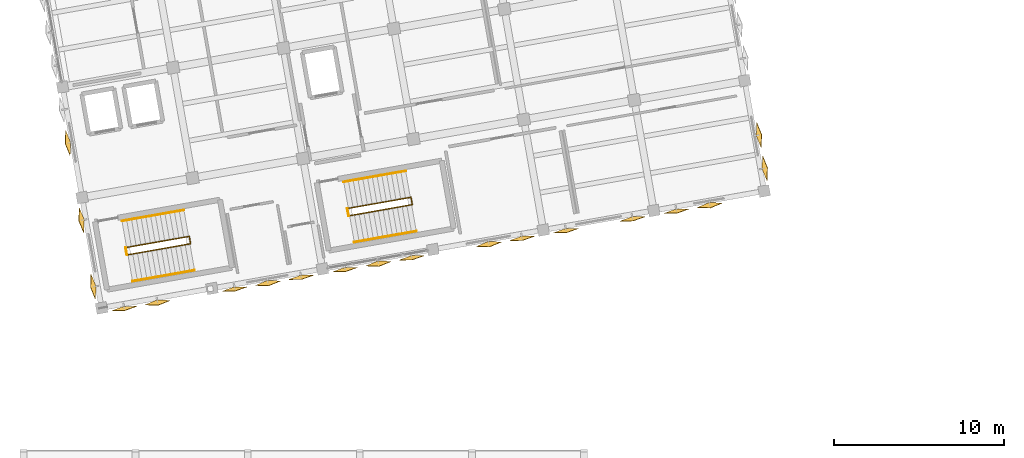
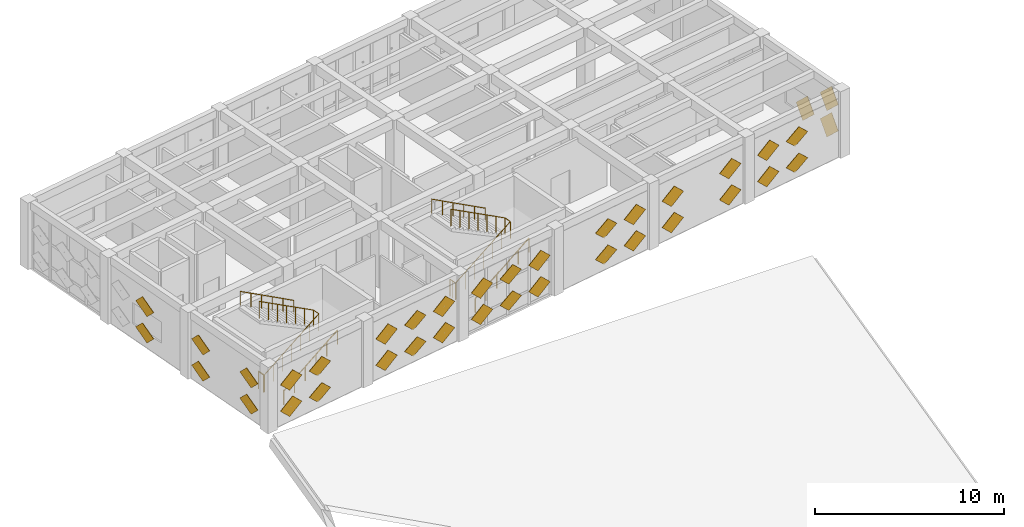
# One storey, part 36 of 39: 37 coverings, 8 railings.
"""IFC4 building model written with IfcOpenShell, lengths in metres."""

from ifc_helpers import new_model, si_unit, direction, frame, origin, origin_2d, place, context, subcontext, project, spatial, polyline, circle, outline, extrude, material, type_object, element, save


model = new_model("IFC4")

# Units and contexts
model_context = context("Model", 3, precision=1e-05, world=origin(), true_north=direction((0.0, 1.0)))
body_context = subcontext(model_context, "Body", "Model", "MODEL_VIEW")
ifc_project = project(units=[si_unit("LENGTHUNIT", "METRE"), si_unit("AREAUNIT", "SQUARE_METRE"), si_unit("VOLUMEUNIT", "CUBIC_METRE"), si_unit("PLANEANGLEUNIT", "RADIAN"), si_unit("MASSUNIT", "GRAM", prefix="KILO")], contexts=[model_context])

# Site, building, storey
site_placement = place(None, origin())
site = spatial("IfcSite", under=ifc_project, at=site_placement, CompositionType="ELEMENT")
building_placement = place(site_placement, origin())
building = spatial("IfcBuilding", under=site, at=building_placement, Name="Kharisveld Research Institute", CompositionType="ELEMENT")
storey_placement = place(building_placement, frame((0.0, 0.0, 23.10009765625)))
storey = spatial("IfcBuildingStorey", under=building, at=storey_placement, Name="L05", CompositionType="ELEMENT", Elevation=23.10009765625)

# Railings
ifc_material_1 = material(Name="Steel S355JR", Category="steel")
railing_type_1 = type_object("IfcRailingType", Name="RL_GRD_STR", PredefinedType="GUARDRAIL", material=ifc_material_1)
railing_1_placement = place(storey_placement, frame((6.75048828125, 38.13671875, 0.0)))
element("IfcRailing", 1, at=railing_1_placement, inside=storey, type_object=railing_type_1, Name="RLG:ST1:L05:GRD_SLOT", PredefinedType="GUARDRAIL", context=body_context, shape_type="SweptSolid", body=[
    extrude(circle(Radius=0.02392578125, at=origin_2d()), frame((0.0, 0.0, 1.09619140625), z_axis=(0.84417332575, 0.148863291176, 0.514986520826), x_axis=(-0.173662611611, 0.984805207809, 0.0)), (0.0, 0.0, 1.0), 4.369140625),
    extrude(circle(Radius=0.02392578125, at=origin_2d()), frame((3.688232421875, 0.650390625, 3.34619140625), z_axis=(-0.173658729201, 0.984805892434, 0.0), x_axis=(-0.984805892434, -0.173658729201, 0.0)), (0.0, 0.0, 1.0), 0.43994140625),
    extrude(circle(Radius=0.02392578125, at=origin_2d()), frame((3.61181640625, 1.083740234375, 3.34619140625), z_axis=(-0.844157266411, -0.148870313632, 0.515010814726), x_axis=(0.173673761132, -0.984803241614, 0.0)), (0.0, 0.0, 1.0), 4.368896484375),
    extrude(circle(Radius=0.02099609375, at=origin_2d()), origin(), (0.0, 0.0, 1.0), 1.072021484375),
    extrude(circle(Radius=0.02099609375, at=origin_2d()), frame((0.61474609375, 0.1083984375, 0.375)), (0.0, 0.0, 1.0), 1.072021484375),
    extrude(circle(Radius=0.02099609375, at=origin_2d()), frame((1.2294921875, 0.216796875, 0.75)), (0.0, 0.0, 1.0), 1.072021484375),
    extrude(circle(Radius=0.02099609375, at=origin_2d()), frame((1.84423828125, 0.3251953125, 1.125)), (0.0, 0.0, 1.0), 1.072021484375),
    extrude(circle(Radius=0.02099609375, at=origin_2d()), frame((2.458740234375, 0.43359375, 1.5)), (0.0, 0.0, 1.0), 1.072021484375),
    extrude(circle(Radius=0.02099609375, at=origin_2d()), frame((3.073486328125, 0.5419921875, 1.875)), (0.0, 0.0, 1.0), 1.072021484375),
    extrude(circle(Radius=0.02099609375, at=origin_2d()), frame((3.688232421875, 0.650390625, 2.25)), (0.0, 0.0, 1.0), 1.072021484375),
    extrude(circle(Radius=0.02099609375, at=origin_2d()), frame((3.61181640625, 1.083740234375, 2.25)), (0.0, 0.0, 1.0), 1.072021484375),
    extrude(circle(Radius=0.02099609375, at=origin_2d()), frame((2.9970703125, 0.975341796875, 2.625)), (0.0, 0.0, 1.0), 1.072021484375),
    extrude(circle(Radius=0.02099609375, at=origin_2d()), frame((2.382568359375, 0.866943359375, 3.0)), (0.0, 0.0, 1.0), 1.072021484375),
    extrude(circle(Radius=0.02099609375, at=origin_2d()), frame((1.767822265625, 0.758544921875, 3.375)), (0.0, 0.0, 1.0), 1.072021484375),
    extrude(circle(Radius=0.02099609375, at=origin_2d()), frame((1.153076171875, 0.650146484375, 3.75)), (0.0, 0.0, 1.0), 1.072021484375),
    extrude(circle(Radius=0.02099609375, at=origin_2d()), frame((0.53857421875, 0.541748046875, 4.125)), (0.0, 0.0, 1.0), 1.072021484375),
    extrude(circle(Radius=0.02099609375, at=origin_2d()), frame((-0.076171875, 0.433349609375, 4.5)), (0.0, 0.0, 1.0), 1.072021484375),
])
railing_2_placement = place(storey_placement, frame((6.69140625, 38.12646484375, 0.0)))
element("IfcRailing", 2, at=railing_2_placement, inside=storey, type_object=railing_type_1, Name="RLG:ST1:L05:GRD_FLRSLOT", PredefinedType="GUARDRAIL", context=body_context, shape_type="SweptSolid", body=[
    extrude(circle(Radius=0.02392578125, at=origin_2d()), frame((0.0, 0.0, 1.09619140625), z_axis=(-0.173753665698, 0.984789146801, 0.0), x_axis=(-0.984789146801, -0.173753665698, 0.0)), (0.0, 0.0, 1.0), 0.439697265625),
    extrude(circle(Radius=0.02099609375, at=origin_2d()), origin(), (0.0, 0.0, 1.0), 1.072021484375),
    extrude(circle(Radius=0.02099609375, at=origin_2d()), frame((-0.076416015625, 0.43310546875, 0.0)), (0.0, 0.0, 1.0), 1.072021484375),
])
railing_3_placement = place(storey_placement, frame((19.79931640625, 40.4375, 0.0)))
element("IfcRailing", 3, at=railing_3_placement, inside=storey, type_object=railing_type_1, Name="RLG:ST2:L05:GRD_SLOT", PredefinedType="GUARDRAIL", context=body_context, shape_type="SweptSolid", body=[
    extrude(circle(Radius=0.02392578125, at=origin_2d()), frame((0.0, 0.0, 1.09619140625), z_axis=(0.844157266411, 0.148870313632, 0.515010814726), x_axis=(-0.173673761132, 0.984803241614, 0.0)), (0.0, 0.0, 1.0), 4.368896484375),
    extrude(circle(Radius=0.02392578125, at=origin_2d()), frame((3.68798828125, 0.650390625, 3.34619140625), z_axis=(-0.173658729201, 0.984805892434, 0.0), x_axis=(-0.984805892434, -0.173658729201, 0.0)), (0.0, 0.0, 1.0), 0.43994140625),
    extrude(circle(Radius=0.02392578125, at=origin_2d()), frame((3.611572265625, 1.083740234375, 3.34619140625), z_axis=(-0.844157266411, -0.148870313632, 0.515010814726), x_axis=(0.173673761132, -0.984803241614, 0.0)), (0.0, 0.0, 1.0), 4.368896484375),
    extrude(circle(Radius=0.02099609375, at=origin_2d()), origin(), (0.0, 0.0, 1.0), 1.072021484375),
    extrude(circle(Radius=0.02099609375, at=origin_2d()), frame((0.61474609375, 0.1083984375, 0.375)), (0.0, 0.0, 1.0), 1.072021484375),
    extrude(circle(Radius=0.02099609375, at=origin_2d()), frame((1.229248046875, 0.216796875, 0.75)), (0.0, 0.0, 1.0), 1.072021484375),
    extrude(circle(Radius=0.02099609375, at=origin_2d()), frame((1.843994140625, 0.3251953125, 1.125)), (0.0, 0.0, 1.0), 1.072021484375),
    extrude(circle(Radius=0.02099609375, at=origin_2d()), frame((2.458740234375, 0.43359375, 1.5)), (0.0, 0.0, 1.0), 1.072021484375),
    extrude(circle(Radius=0.02099609375, at=origin_2d()), frame((3.0732421875, 0.5419921875, 1.875)), (0.0, 0.0, 1.0), 1.072021484375),
    extrude(circle(Radius=0.02099609375, at=origin_2d()), frame((3.68798828125, 0.650390625, 2.25)), (0.0, 0.0, 1.0), 1.072021484375),
    extrude(circle(Radius=0.02099609375, at=origin_2d()), frame((3.611572265625, 1.083740234375, 2.25)), (0.0, 0.0, 1.0), 1.072021484375),
    extrude(circle(Radius=0.02099609375, at=origin_2d()), frame((2.996826171875, 0.975341796875, 2.625)), (0.0, 0.0, 1.0), 1.072021484375),
    extrude(circle(Radius=0.02099609375, at=origin_2d()), frame((2.38232421875, 0.866943359375, 3.0)), (0.0, 0.0, 1.0), 1.072021484375),
    extrude(circle(Radius=0.02099609375, at=origin_2d()), frame((1.767578125, 0.758544921875, 3.375)), (0.0, 0.0, 1.0), 1.072021484375),
    extrude(circle(Radius=0.02099609375, at=origin_2d()), frame((1.15283203125, 0.650146484375, 3.75)), (0.0, 0.0, 1.0), 1.072021484375),
    extrude(circle(Radius=0.02099609375, at=origin_2d()), frame((0.538330078125, 0.541748046875, 4.125)), (0.0, 0.0, 1.0), 1.072021484375),
    extrude(circle(Radius=0.02099609375, at=origin_2d()), frame((-0.076416015625, 0.433349609375, 4.5)), (0.0, 0.0, 1.0), 1.072021484375),
])
railing_4_placement = place(storey_placement, frame((19.740234375, 40.42724609375, 0.0)))
element("IfcRailing", 4, at=railing_4_placement, inside=storey, type_object=railing_type_1, Name="RLG:ST2:L05:GRD_FLRSLOT", PredefinedType="GUARDRAIL", context=body_context, shape_type="SweptSolid", body=[
    extrude(circle(Radius=0.02392578125, at=origin_2d()), frame((0.0, 0.0, 1.09619140625), z_axis=(-0.173658729201, 0.984805892434, 0.0), x_axis=(-0.984805892434, -0.173658729201, 0.0)), (0.0, 0.0, 1.0), 0.43994140625),
    extrude(circle(Radius=0.02099609375, at=origin_2d()), origin(), (0.0, 0.0, 1.0), 1.072021484375),
    extrude(circle(Radius=0.02099609375, at=origin_2d()), frame((-0.0380859375, 0.216796875, 0.0)), (0.0, 0.0, 1.0), 1.072021484375),
    extrude(circle(Radius=0.02099609375, at=origin_2d()), frame((-0.076416015625, 0.433349609375, 0.0)), (0.0, 0.0, 1.0), 1.072021484375),
])
ifc_material_2 = material(Name="Stainless Steel 316", Category="steel")
railing_type_2 = type_object("IfcRailingType", Name="RL_HND_STR", PredefinedType="HANDRAIL", material=ifc_material_2)
railing_5_placement = place(storey_placement, frame((7.02490234375, 36.580810546875, 0.0)))
element("IfcRailing", 5, at=railing_5_placement, inside=storey, type_object=railing_type_2, Name="RLG:ST1:L05:HR1", PredefinedType="HANDRAIL", context=body_context, shape_type="SweptSolid", body=[
    extrude(circle(Radius=0.02392578125, at=origin_2d()), frame((0.0, 0.0, 0.89599609375), z_axis=(0.841746897377, 0.148411045473, 0.519072559801), x_axis=(-0.173634966033, 0.984810082488, 0.0)), (0.0, 0.0, 1.0), 4.334716796875),
    extrude(circle(Radius=0.02099609375, at=origin_2d()), origin(), (0.0, 0.0, 1.0), 0.871826171875),
    extrude(circle(Radius=0.02099609375, at=origin_2d()), frame((0.729736328125, 0.128662109375, 0.449951171875)), (0.0, 0.0, 1.0), 0.871826171875),
    extrude(circle(Radius=0.02099609375, at=origin_2d()), frame((1.45947265625, 0.25732421875, 0.89990234375)), (0.0, 0.0, 1.0), 0.871826171875),
    extrude(circle(Radius=0.02099609375, at=origin_2d()), frame((2.189208984375, 0.385986328125, 1.35009765625)), (0.0, 0.0, 1.0), 0.871826171875),
    extrude(circle(Radius=0.02099609375, at=origin_2d()), frame((2.9189453125, 0.5146484375, 1.800048828125)), (0.0, 0.0, 1.0), 0.871826171875),
    extrude(circle(Radius=0.02099609375, at=origin_2d()), frame((3.648681640625, 0.643310546875, 2.25)), (0.0, 0.0, 1.0), 0.871826171875),
])
railing_6_placement = place(storey_placement, frame((10.048583984375, 40.76953125, 2.25)))
element("IfcRailing", 6, at=railing_6_placement, inside=storey, type_object=railing_type_2, Name="RLG:ST1:L05:HR2", PredefinedType="HANDRAIL", context=body_context, shape_type="SweptSolid", body=[
    extrude(circle(Radius=0.02392578125, at=origin_2d()), frame((0.0, 0.0, 0.89599609375), z_axis=(-0.841739860008, -0.148466127198, 0.519068220129), x_axis=(0.173698873865, -0.984798812559, 0.0)), (0.0, 0.0, 1.0), 4.334716796875),
    extrude(circle(Radius=0.02099609375, at=origin_2d()), origin(), (0.0, 0.0, 1.0), 0.871826171875),
    extrude(circle(Radius=0.02099609375, at=origin_2d()), frame((-0.729736328125, -0.128662109375, 0.449951171875)), (0.0, 0.0, 1.0), 0.871826171875),
    extrude(circle(Radius=0.02099609375, at=origin_2d()), frame((-1.45947265625, -0.25732421875, 0.89990234375)), (0.0, 0.0, 1.0), 0.871826171875),
    extrude(circle(Radius=0.02099609375, at=origin_2d()), frame((-2.189208984375, -0.38623046875, 1.35009765625)), (0.0, 0.0, 1.0), 0.871826171875),
    extrude(circle(Radius=0.02099609375, at=origin_2d()), frame((-2.9189453125, -0.514892578125, 1.800048828125)), (0.0, 0.0, 1.0), 0.871826171875),
    extrude(circle(Radius=0.02099609375, at=origin_2d()), frame((-3.648681640625, -0.6435546875, 2.25)), (0.0, 0.0, 1.0), 0.871826171875),
])
railing_7_placement = place(storey_placement, frame((20.07373046875, 38.881591796875, 0.0)))
element("IfcRailing", 7, at=railing_7_placement, inside=storey, type_object=railing_type_2, Name="RLG:ST2:L05:HR1", PredefinedType="HANDRAIL", context=body_context, shape_type="SweptSolid", body=[
    extrude(circle(Radius=0.02392578125, at=origin_2d()), frame((0.0, 0.0, 0.89599609375), z_axis=(0.841746897377, 0.148411045473, 0.519072559801), x_axis=(-0.173634966033, 0.984810082488, 0.0)), (0.0, 0.0, 1.0), 4.334716796875),
    extrude(circle(Radius=0.02099609375, at=origin_2d()), origin(), (0.0, 0.0, 1.0), 0.871826171875),
    extrude(circle(Radius=0.02099609375, at=origin_2d()), frame((0.729736328125, 0.128662109375, 0.449951171875)), (0.0, 0.0, 1.0), 0.871826171875),
    extrude(circle(Radius=0.02099609375, at=origin_2d()), frame((1.45947265625, 0.25732421875, 0.89990234375)), (0.0, 0.0, 1.0), 0.871826171875),
    extrude(circle(Radius=0.02099609375, at=origin_2d()), frame((2.189208984375, 0.385986328125, 1.35009765625)), (0.0, 0.0, 1.0), 0.871826171875),
    extrude(circle(Radius=0.02099609375, at=origin_2d()), frame((2.9189453125, 0.5146484375, 1.800048828125)), (0.0, 0.0, 1.0), 0.871826171875),
    extrude(circle(Radius=0.02099609375, at=origin_2d()), frame((3.648681640625, 0.643310546875, 2.25)), (0.0, 0.0, 1.0), 0.871826171875),
])
railing_8_placement = place(storey_placement, frame((23.09716796875, 43.0703125, 2.25)))
element("IfcRailing", 8, at=railing_8_placement, inside=storey, type_object=railing_type_2, Name="RLG:ST2:L05:HR2", PredefinedType="HANDRAIL", context=body_context, shape_type="SweptSolid", body=[
    extrude(circle(Radius=0.02392578125, at=origin_2d()), frame((0.0, 0.0, 0.89599609375), z_axis=(-0.841746897377, -0.148411045473, 0.519072559801), x_axis=(0.173634966033, -0.984810082488, 0.0)), (0.0, 0.0, 1.0), 4.334716796875),
    extrude(circle(Radius=0.02099609375, at=origin_2d()), origin(), (0.0, 0.0, 1.0), 0.871826171875),
    extrude(circle(Radius=0.02099609375, at=origin_2d()), frame((-0.729736328125, -0.128662109375, 0.449951171875)), (0.0, 0.0, 1.0), 0.871826171875),
    extrude(circle(Radius=0.02099609375, at=origin_2d()), frame((-1.45947265625, -0.25732421875, 0.89990234375)), (0.0, 0.0, 1.0), 0.871826171875),
    extrude(circle(Radius=0.02099609375, at=origin_2d()), frame((-2.189208984375, -0.385986328125, 1.35009765625)), (0.0, 0.0, 1.0), 0.871826171875),
    extrude(circle(Radius=0.02099609375, at=origin_2d()), frame((-2.9189453125, -0.5146484375, 1.800048828125)), (0.0, 0.0, 1.0), 0.871826171875),
    extrude(circle(Radius=0.02099609375, at=origin_2d()), frame((-3.648681640625, -0.643310546875, 2.25)), (0.0, 0.0, 1.0), 0.871826171875),
])

# Coverings
ifc_material_3 = material(Name="White Powder-Coated Perforated Aluminium", Category="aluminium")
covering_type = type_object("IfcCoveringType", Name="CV_DIA_105", PredefinedType="CLADDING")
for number, where, z_axis, x_axis, name in (
    (9, (4.874267578125, 36.2861328125, 0.324951171875), (0.961447488939, 0.169497253476, 0.216539620108), (-0.273555095257, 0.669826337005, 0.690290002907), "SHD:V1:L05:W0:S0C0"),
    (10, (4.874267578125, 36.2861328125, 2.025146484375), (0.961447488939, 0.169497253476, 0.216539620108), (-0.273555095257, 0.669826337005, 0.690290002907), "SHD:V1:L05:W0:S0C1"),
):
    element("IfcCovering", number, at=place(storey_placement, frame(where, z_axis=z_axis, x_axis=x_axis)), inside=storey, type_object=covering_type, material=ifc_material_3, Name=name, PredefinedType="CLADDING", context=body_context, shape_type="SweptSolid", body=[
        extrude(outline(polyline([(0.0, 0.0), (1.0501013287743868, 0.0), (1.0498908116789152, 1.0501299715118642), (1.9800637014233402e-05, 1.0499603251677767), (0.0, 0.0)])), origin(), (0.0, 0.0, -1.0), 0.02392578125),
    ])
for number, where, z_axis, x_axis, name in (
    (11, (4.18408203125, 40.19921875, 0.324951171875), (0.961481187298, 0.169503194288, 0.216385289699), (-0.273452141042, 0.669728459805, 0.690425750307), "SHD:V1:L05:W0:S2C0"),
    (12, (4.18408203125, 40.19921875, 2.025146484375), (0.961481187298, 0.169503194288, 0.216385289699), (-0.273452141042, 0.669728459805, 0.690425750307), "SHD:V1:L05:W0:S2C1"),
    (13, (3.383056640625, 44.742431640625, 0.324951171875), (0.961481187298, 0.169503194288, 0.216385289699), (-0.273452141042, 0.669728459805, 0.690425750307), "SHD:V1:L05:W1:S1C0"),
    (14, (3.383056640625, 44.742431640625, 2.025146484375), (0.961481187298, 0.169503194288, 0.216385289699), (-0.273452141042, 0.669728459805, 0.690425750307), "SHD:V1:L05:W1:S1C1"),
):
    element("IfcCovering", number, at=place(storey_placement, frame(where, z_axis=z_axis, x_axis=x_axis)), inside=storey, type_object=covering_type, material=ifc_material_3, Name=name, PredefinedType="CLADDING", context=body_context, shape_type="SweptSolid", body=[
        extrude(outline(polyline([(0.0, 0.0), (1.0498710289953155, -1.1102230246251565e-16), (1.0499937165082887, 1.0499534818098035), (-4.082041178410378e-05, 1.0501299960653954), (0.0, 0.0)])), origin(), (0.0, 0.0, -1.0), 0.02392578125),
    ])
covering_1_placement = place(storey_placement, frame((43.72314453125, 45.153564453125, 0.324951171875), z_axis=(-0.961481187298, -0.169503194288, 0.216385289699), x_axis=(0.273447448775, -0.669849989418, 0.690309701826)))
element("IfcCovering", 15, at=covering_1_placement, inside=storey, type_object=covering_type, material=ifc_material_3, Name="SHD:V1:L05:E1:S1C0", PredefinedType="CLADDING", context=body_context, shape_type="SweptSolid", body=[
    extrude(outline(polyline([(0.0, 0.0), (1.0500345517563856, -1.1102230246251565e-16), (1.0498172010450848, 1.0501299743656882), (-5.381311622809637e-05, 1.0499534875988095), (0.0, 0.0)])), origin(), (0.0, 0.0, -1.0), 0.02392578125),
])
for number, where, z_axis, x_axis, name in (
    (16, (44.068115234375, 43.197021484375, 0.324951171875), (-0.961481187298, -0.169503194288, 0.216385289699), (0.273452141042, -0.669728459805, 0.690425750307), "SHD:V1:L05:E1:S2C0"),
    (17, (44.068115234375, 43.197021484375, 2.025146484375), (-0.961481187298, -0.169503194288, 0.216385289699), (0.273452141042, -0.669728459805, 0.690425750307), "SHD:V1:L05:E1:S2C1"),
):
    element("IfcCovering", number, at=place(storey_placement, frame(where, z_axis=z_axis, x_axis=x_axis)), inside=storey, type_object=covering_type, material=ifc_material_3, Name=name, PredefinedType="CLADDING", context=body_context, shape_type="SweptSolid", body=[
        extrude(outline(polyline([(0.0, 0.0), (1.0498710289953155, -1.1102230246251565e-16), (1.0499937165082887, 1.0499534818098035), (-4.082041178410378e-05, 1.0501299960653954), (0.0, 0.0)])), origin(), (0.0, 0.0, -1.0), 0.02392578125),
    ])
for number, where, z_axis, x_axis, name in (
    (18, (40.9658203125, 41.215576171875, 0.324951171875), (-0.169504241221, 0.961487125864, 0.216358080518), (-0.669853329409, -0.27342850239, 0.690313965642), "SHD:V1:L05:S6:S1C0"),
    (19, (40.9658203125, 41.215576171875, 2.025146484375), (-0.169504241221, 0.961487125864, 0.216358080518), (-0.669853329409, -0.27342850239, 0.690313965642), "SHD:V1:L05:S6:S1C1"),
):
    element("IfcCovering", number, at=place(storey_placement, frame(where, z_axis=z_axis, x_axis=x_axis)), inside=storey, type_object=covering_type, material=ifc_material_3, Name=name, PredefinedType="CLADDING", context=body_context, shape_type="SweptSolid", body=[
        extrude(outline(polyline([(0.0, 0.0), (1.0500345519602505, 0.0), (1.0499807392517624, 1.0499534878027108), (-5.381270848814346e-05, 1.049953487802711), (0.0, 0.0)])), origin(), (0.0, 0.0, -1.0), 0.02392578125),
    ])
covering_2_placement = place(storey_placement, frame((39.015869140625, 40.8330078125, 0.317626953125), z_axis=(-0.171238636855, 0.971325222312, 0.164938296792), x_axis=(-0.676191865964, -0.23762399085, 0.697351704219)))
element("IfcCovering", 20, at=covering_2_placement, inside=storey, type_object=covering_type, material=ifc_material_3, Name="SHD:V1:L05:S6:S2C0", PredefinedType="CLADDING", context=body_context, shape_type="SweptSolid", body=[
    extrude(outline(polyline([(0.0, 0.0), (1.0499451723202433, -1.1102230246251565e-16), (1.0499335917706356, 1.0500851276195962), (-0.00018183243052050102, 1.0499148413347306), (0.0, 0.0)])), origin(), (0.0, 0.0, -1.0), 0.02392578125),
])
covering_3_placement = place(storey_placement, frame((39.015869140625, 40.8330078125, 2.017578125), z_axis=(-0.171238636855, 0.971325222312, 0.164938296792), x_axis=(-0.676075661849, -0.237622709321, 0.697464800165)))
element("IfcCovering", 21, at=covering_3_placement, inside=storey, type_object=covering_type, material=ifc_material_3, Name="SHD:V1:L05:S6:S2C1", PredefinedType="CLADDING", context=body_context, shape_type="SweptSolid", body=[
    extrude(outline(polyline([(0.0, 0.0), (1.050115438007933, 0.0), (1.0501038593359955, 1.049914857016463), (0.00015870082029023624, 1.050085115691115), (0.0, 0.0)])), origin(), (0.0, 0.0, -1.0), 0.02392578125),
])
covering_4_placement = place(storey_placement, frame((36.42919921875, 40.376953125, 0.317626953125), z_axis=(-0.171234061711, 0.9712992705, 0.165095800177), x_axis=(-0.676172534966, -0.237733660148, 0.69733306948)))
element("IfcCovering", 22, at=covering_4_placement, inside=storey, type_object=covering_type, material=ifc_material_3, Name="SHD:V1:L05:S5:S0C0", PredefinedType="CLADDING", context=body_context, shape_type="SweptSolid", body=[
    extrude(outline(polyline([(0.0, 0.0), (1.049945167901042, 2.220446049250313e-16), (1.0499916144071415, 1.0500832207180806), (-0.0001818412696886762, 1.0499148369138707), (0.0, 0.0)])), origin(), (0.0, 0.0, -1.0), 0.02392578125),
])
covering_5_placement = place(storey_placement, frame((36.42919921875, 40.376953125, 2.017578125), z_axis=(-0.171234061711, 0.9712992705, 0.165095800177), x_axis=(-0.67605633082, -0.237732396439, 0.697446159385)))
element("IfcCovering", 23, at=covering_5_placement, inside=storey, type_object=covering_type, material=ifc_material_3, Name="SHD:V1:L05:S5:S0C1", PredefinedType="CLADDING", context=body_context, shape_type="SweptSolid", body=[
    extrude(outline(polyline([(0.0, 0.0), (1.050115429038497, -1.1102230246251565e-16), (1.0501618771158647, 1.0499129452537745), (0.00015868288277420817, 1.050085106724131), (0.0, 0.0)])), origin(), (0.0, 0.0, -1.0), 0.02392578125),
])
covering_6_placement = place(storey_placement, frame((32.51611328125, 39.68701171875, 0.317626953125), z_axis=(-0.171233254714, 0.971294692931, 0.165123565742), x_axis=(-0.676169128139, -0.237752993267, 0.697329781628)))
element("IfcCovering", 24, at=covering_6_placement, inside=storey, type_object=covering_type, material=ifc_material_3, Name="SHD:V1:L05:S5:S2C0", PredefinedType="CLADDING", context=body_context, shape_type="SweptSolid", body=[
    extrude(outline(polyline([(0.0, 0.0), (1.0499451657341914, 1.1102230246251565e-16), (1.0498265314699664, 1.0502581666436772), (-0.00018184560376499626, 1.049914834746207), (0.0, 0.0)])), origin(), (0.0, 0.0, -1.0), 0.02392578125),
])
covering_7_placement = place(storey_placement, frame((32.51611328125, 39.68701171875, 2.017578125), z_axis=(-0.171233254714, 0.971294692931, 0.165123565742), x_axis=(-0.676052923988, -0.237751732699, 0.697442870468)))
element("IfcCovering", 25, at=covering_7_placement, inside=storey, type_object=covering_type, material=ifc_material_3, Name="SHD:V1:L05:S5:S2C1", PredefinedType="CLADDING", context=body_context, shape_type="SweptSolid", body=[
    extrude(outline(polyline([(0.0, 0.0), (1.0501154260688186, -1.1102230246251565e-16), (1.0499968217476066, 1.050087918747723), (0.000158676943865399, 1.050085103755264), (0.0, 0.0)])), origin(), (0.0, 0.0, -1.0), 0.02392578125),
])
covering_8_placement = place(storey_placement, frame((29.929443359375, 39.23095703125, 0.317626953125), z_axis=(-0.171234061711, 0.9712992705, 0.165095800177), x_axis=(-0.676173830196, -0.2377336742, 0.697331808761)))
element("IfcCovering", 26, at=covering_8_placement, inside=storey, type_object=covering_type, material=ifc_material_3, Name="SHD:V1:L05:S4:S0C0", PredefinedType="CLADDING", context=body_context, shape_type="SweptSolid", body=[
    extrude(outline(polyline([(0.0, 0.0), (1.0500032083471293, -1.1102230246251565e-16), (1.0499897163291267, 1.0500851186270816), (-0.00012569859382338677, 1.049912938756706), (0.0, 0.0)])), origin(), (0.0, 0.0, -1.0), 0.02392578125),
])
covering_9_placement = place(storey_placement, frame((29.929443359375, 39.23095703125, 2.017578125), z_axis=(-0.171234061711, 0.9712992705, 0.165095800177), x_axis=(-0.676057632461, -0.237732410628, 0.697444892825)))
element("IfcCovering", 27, at=covering_9_placement, inside=storey, type_object=covering_type, material=ifc_material_3, Name="SHD:V1:L05:S4:S0C1", PredefinedType="CLADDING", context=body_context, shape_type="SweptSolid", body=[
    extrude(outline(polyline([(0.0, 0.0), (1.050173469176079, 1.1102230246251565e-16), (1.0501599702440891, 1.049914852574201), (0.0002148158393612265, 1.050083199772804), (0.0, 0.0)])), origin(), (0.0, 0.0, -1.0), 0.02392578125),
])
for number, where, z_axis, x_axis, name in (
    (28, (27.96630859375, 38.923583984375, 0.324951171875), (-0.169497253476, 0.961447488939, 0.216539620108), (-0.669826337005, -0.273555095257, 0.690290002907), "SHD:V1:L05:S4:S1C0"),
    (29, (27.96630859375, 38.923583984375, 2.025146484375), (-0.169497253476, 0.961447488939, 0.216539620108), (-0.669826337005, -0.273555095257, 0.690290002907), "SHD:V1:L05:S4:S1C1"),
):
    element("IfcCovering", number, at=place(storey_placement, frame(where, z_axis=z_axis, x_axis=x_axis)), inside=storey, type_object=covering_type, material=ifc_material_3, Name=name, PredefinedType="CLADDING", context=body_context, shape_type="SweptSolid", body=[
        extrude(outline(polyline([(0.0, 0.0), (1.0501013287743868, 0.0), (1.0498908116789152, 1.0501299715118642), (1.9800637014233402e-05, 1.0499603251677767), (0.0, 0.0)])), origin(), (0.0, 0.0, -1.0), 0.02392578125),
    ])
covering_10_placement = place(storey_placement, frame((23.4296875, 38.084716796875, 0.317626953125), z_axis=(-0.171238636855, 0.971325222312, 0.164938296792), x_axis=(-0.676191865964, -0.23762399085, 0.697351704219)))
element("IfcCovering", 30, at=covering_10_placement, inside=storey, type_object=covering_type, material=ifc_material_3, Name="SHD:V1:L05:S3:S0C0", PredefinedType="CLADDING", context=body_context, shape_type="SweptSolid", body=[
    extrude(outline(polyline([(0.0, 0.0), (1.0499451723202433, -1.1102230246251565e-16), (1.0499335917706356, 1.0500851276195962), (-0.00018183243052050102, 1.0499148413347306), (0.0, 0.0)])), origin(), (0.0, 0.0, -1.0), 0.02392578125),
])
covering_11_placement = place(storey_placement, frame((23.4296875, 38.084716796875, 2.017578125), z_axis=(-0.171238636855, 0.971325222312, 0.164938296792), x_axis=(-0.676075661849, -0.237622709321, 0.697464800165)))
element("IfcCovering", 31, at=covering_11_placement, inside=storey, type_object=covering_type, material=ifc_material_3, Name="SHD:V1:L05:S3:S0C1", PredefinedType="CLADDING", context=body_context, shape_type="SweptSolid", body=[
    extrude(outline(polyline([(0.0, 0.0), (1.050115438007933, 0.0), (1.0501038593359955, 1.049914857016463), (0.00015870082029023624, 1.050085115691115), (0.0, 0.0)])), origin(), (0.0, 0.0, -1.0), 0.02392578125),
])
for number, where, z_axis, x_axis, name in (
    (32, (21.466552734375, 37.77734375, 0.324951171875), (-0.169503194288, 0.961481187298, 0.216385289699), (-0.669849989418, -0.273447448775, 0.690309701826), "SHD:V1:L05:S3:S1C0"),
    (33, (21.466552734375, 37.77734375, 2.025146484375), (-0.169503194288, 0.961481187298, 0.216385289699), (-0.669849989418, -0.273447448775, 0.690309701826), "SHD:V1:L05:S3:S1C1"),
):
    element("IfcCovering", number, at=place(storey_placement, frame(where, z_axis=z_axis, x_axis=x_axis)), inside=storey, type_object=covering_type, material=ifc_material_3, Name=name, PredefinedType="CLADDING", context=body_context, shape_type="SweptSolid", body=[
        extrude(outline(polyline([(0.0, 0.0), (1.0500345517563856, -1.1102230246251565e-16), (1.0498172010450848, 1.0501299743656882), (-5.381311622809637e-05, 1.0499534875988095), (0.0, 0.0)])), origin(), (0.0, 0.0, -1.0), 0.02392578125),
    ])
covering_12_placement = place(storey_placement, frame((19.5166015625, 37.394775390625, 0.317626953125), z_axis=(-0.171237830585, 0.971320648866, 0.164966064583), x_axis=(-0.67606903884, -0.237642011667, 0.697464643558)))
element("IfcCovering", 34, at=covering_12_placement, inside=storey, type_object=covering_type, material=ifc_material_3, Name="SHD:V1:L05:S3:S2C0", PredefinedType="CLADDING", context=body_context, shape_type="SweptSolid", body=[
    extrude(outline(polyline([(0.0, 0.0), (1.0497801020167383, -1.1102230246251565e-16), (1.0499435113361357, 1.0500851143599854), (-0.0001719260522816679, 1.0500898242129075), (0.0, 0.0)])), origin(), (0.0, 0.0, -1.0), 0.02392578125),
])
covering_13_placement = place(storey_placement, frame((19.5166015625, 37.394775390625, 2.017578125), z_axis=(-0.171237830585, 0.971320648866, 0.164966064583), x_axis=(-0.67595281755, -0.23764072687, 0.697577718522)))
element("IfcCovering", 35, at=covering_13_placement, inside=storey, type_object=covering_type, material=ifc_material_3, Name="SHD:V1:L05:S3:S2C1", PredefinedType="CLADDING", context=body_context, shape_type="SweptSolid", body=[
    extrude(outline(polyline([(0.0, 0.0), (1.0499503952749474, -1.1102230246251565e-16), (1.0501137764870712, 1.0499148445609001), (0.00016866072896248863, 1.0502600677810072), (0.0, 0.0)])), origin(), (0.0, 0.0, -1.0), 0.02392578125),
])
covering_14_placement = place(storey_placement, frame((16.929931640625, 36.938720703125, 0.317626953125), z_axis=(-0.171234061711, 0.9712992705, 0.165095800177), x_axis=(-0.676172534966, -0.237733660148, 0.69733306948)))
element("IfcCovering", 36, at=covering_14_placement, inside=storey, type_object=covering_type, material=ifc_material_3, Name="SHD:V1:L05:S2:S0C0", PredefinedType="CLADDING", context=body_context, shape_type="SweptSolid", body=[
    extrude(outline(polyline([(0.0, 0.0), (1.049945167901042, 2.220446049250313e-16), (1.0499916144071415, 1.0500832207180806), (-0.0001818412696886762, 1.0499148369138707), (0.0, 0.0)])), origin(), (0.0, 0.0, -1.0), 0.02392578125),
])
covering_15_placement = place(storey_placement, frame((16.929931640625, 36.938720703125, 2.017578125), z_axis=(-0.171234061711, 0.9712992705, 0.165095800177), x_axis=(-0.67605633082, -0.237732396439, 0.697446159385)))
element("IfcCovering", 37, at=covering_15_placement, inside=storey, type_object=covering_type, material=ifc_material_3, Name="SHD:V1:L05:S2:S0C1", PredefinedType="CLADDING", context=body_context, shape_type="SweptSolid", body=[
    extrude(outline(polyline([(0.0, 0.0), (1.050115429038497, -1.1102230246251565e-16), (1.0501618771158647, 1.0499129452537745), (0.00015868288277420817, 1.050085106724131), (0.0, 0.0)])), origin(), (0.0, 0.0, -1.0), 0.02392578125),
])
for number, where, z_axis, x_axis, name in (
    (38, (14.966796875, 36.63134765625, 0.324951171875), (-0.16952470156, 0.961442649282, 0.216539621552), (-0.66970617229, -0.273578570302, 0.690397283213), "SHD:V1:L05:S2:S1C0"),
    (39, (14.966796875, 36.63134765625, 2.025146484375), (-0.16952470156, 0.961442649282, 0.216539621552), (-0.66970617229, -0.273578570302, 0.690397283213), "SHD:V1:L05:S2:S1C1"),
):
    element("IfcCovering", number, at=place(storey_placement, frame(where, z_axis=z_axis, x_axis=x_axis)), inside=storey, type_object=covering_type, material=ifc_material_3, Name=name, PredefinedType="CLADDING", context=body_context, shape_type="SweptSolid", body=[
        extrude(outline(polyline([(0.0, 0.0), (1.0498710226392558, 0.0), (1.0500604882684064, 1.0499603061510638), (0.00012267398601040203, 1.0499534754558235), (0.0, 0.0)])), origin(), (0.0, 0.0, -1.0), 0.02392578125),
    ])
covering_16_placement = place(storey_placement, frame((13.01708984375, 36.248779296875, 0.317626953125), z_axis=(-0.171234061711, 0.9712992705, 0.165095800177), x_axis=(-0.676172534966, -0.237733660148, 0.69733306948)))
element("IfcCovering", 40, at=covering_16_placement, inside=storey, type_object=covering_type, material=ifc_material_3, Name="SHD:V1:L05:S2:S2C0", PredefinedType="CLADDING", context=body_context, shape_type="SweptSolid", body=[
    extrude(outline(polyline([(0.0, 0.0), (1.049945167901042, 2.220446049250313e-16), (1.0499916144071415, 1.0500832207180806), (-0.0001818412696886762, 1.0499148369138707), (0.0, 0.0)])), origin(), (0.0, 0.0, -1.0), 0.02392578125),
])
covering_17_placement = place(storey_placement, frame((13.01708984375, 36.248779296875, 2.017578125), z_axis=(-0.171234061711, 0.9712992705, 0.165095800177), x_axis=(-0.67605633082, -0.237732396439, 0.697446159385)))
element("IfcCovering", 41, at=covering_17_placement, inside=storey, type_object=covering_type, material=ifc_material_3, Name="SHD:V1:L05:S2:S2C1", PredefinedType="CLADDING", context=body_context, shape_type="SweptSolid", body=[
    extrude(outline(polyline([(0.0, 0.0), (1.050115429038497, -1.1102230246251565e-16), (1.0501618771158647, 1.0499129452537745), (0.00015868288277420817, 1.050085106724131), (0.0, 0.0)])), origin(), (0.0, 0.0, -1.0), 0.02392578125),
])
for number, where, z_axis, x_axis, name in (
    (42, (8.467041015625, 35.4853515625, 0.324951171875), (-0.16952470156, 0.961442649282, 0.216539621552), (-0.669701468459, -0.273578752319, 0.690401773914), "SHD:V1:L05:S1:S1C0"),
    (43, (8.467041015625, 35.4853515625, 2.025146484375), (-0.16952470156, 0.961442649282, 0.216539621552), (-0.669701468459, -0.273578752319, 0.690401773914), "SHD:V1:L05:S1:S1C1"),
):
    element("IfcCovering", number, at=place(storey_placement, frame(where, z_axis=z_axis, x_axis=x_axis)), inside=storey, type_object=covering_type, material=ifc_material_3, Name=name, PredefinedType="CLADDING", context=body_context, shape_type="SweptSolid", body=[
        extrude(outline(polyline([(0.0, 0.0), (1.0499378143046156, 0.0), (1.0500673190877523, 1.04995347463551), (0.0001962964707143966, 1.0499603048962165), (0.0, 0.0)])), origin(), (0.0, 0.0, -1.0), 0.02392578125),
    ])
covering_18_placement = place(storey_placement, frame((6.517333984375, 35.102783203125, 0.317626953125), z_axis=(-0.171234061711, 0.9712992705, 0.165095800177), x_axis=(-0.676173830196, -0.2377336742, 0.697331808761)))
element("IfcCovering", 44, at=covering_18_placement, inside=storey, type_object=covering_type, material=ifc_material_3, Name="SHD:V1:L05:S1:S2C0", PredefinedType="CLADDING", context=body_context, shape_type="SweptSolid", body=[
    extrude(outline(polyline([(0.0, 0.0), (1.0500032083471293, -1.1102230246251565e-16), (1.0499897163291267, 1.0500851186270816), (-0.00012569859382338677, 1.049912938756706), (0.0, 0.0)])), origin(), (0.0, 0.0, -1.0), 0.02392578125),
])
covering_19_placement = place(storey_placement, frame((6.517333984375, 35.102783203125, 2.017578125), z_axis=(-0.171234061711, 0.9712992705, 0.165095800177), x_axis=(-0.676057632461, -0.237732410628, 0.697444892825)))
element("IfcCovering", 45, at=covering_19_placement, inside=storey, type_object=covering_type, material=ifc_material_3, Name="SHD:V1:L05:S1:S2C1", PredefinedType="CLADDING", context=body_context, shape_type="SweptSolid", body=[
    extrude(outline(polyline([(0.0, 0.0), (1.050173469176079, 1.1102230246251565e-16), (1.0501599702440891, 1.049914852574201), (0.0002148158393612265, 1.050083199772804), (0.0, 0.0)])), origin(), (0.0, 0.0, -1.0), 0.02392578125),
])

save(model, "model.ifc")
